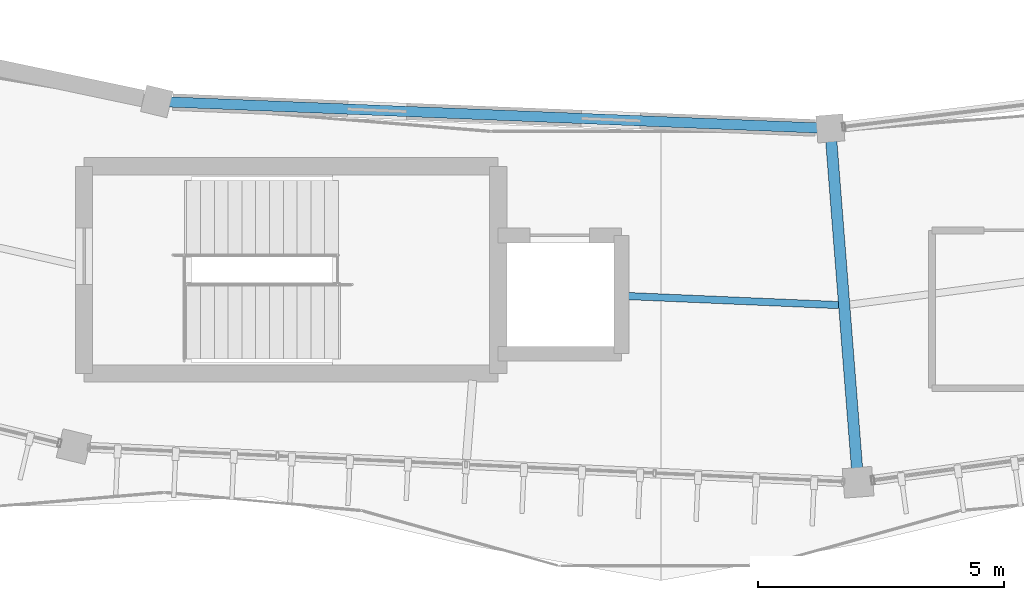
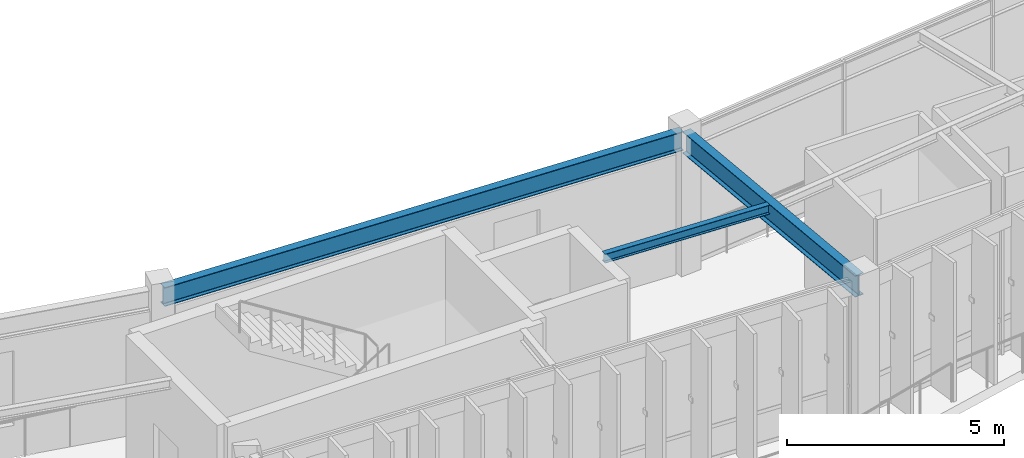
# One storey, part 28 of 83: 3 beams.
"""IFC4 building model written with IfcOpenShell, lengths in metres."""

from ifc_helpers import new_model, si_unit, direction, frame, origin, origin_2d, place, context, subcontext, project, spatial, i_section, extrude, material, material_profile, profile_set, type_object, element, save


model = new_model("IFC4")

# Units and contexts
model_context = context("Model", 3, precision=1e-05, world=origin(), true_north=direction((0.0, 1.0)))
body_context = subcontext(model_context, "Body", "Model", "MODEL_VIEW")
ifc_project = project(units=[si_unit("LENGTHUNIT", "METRE"), si_unit("AREAUNIT", "SQUARE_METRE"), si_unit("VOLUMEUNIT", "CUBIC_METRE"), si_unit("PLANEANGLEUNIT", "RADIAN"), si_unit("MASSUNIT", "GRAM", prefix="KILO"), si_unit("THERMODYNAMICTEMPERATUREUNIT", "KELVIN"), si_unit("POWERUNIT", "WATT")], contexts=[model_context])

# Site, building, storey
site_placement = place(None, origin())
site = spatial("IfcSite", under=ifc_project, at=site_placement, CompositionType="ELEMENT")
building_placement = place(site_placement, origin())
building = spatial("IfcBuilding", under=site, at=building_placement, Name="Darbajah Civic Hall", CompositionType="ELEMENT")
storey_placement = place(building_placement, frame((0.0, 0.0, 18.0)))
storey = spatial("IfcBuildingStorey", under=building, at=storey_placement, Name="L04", CompositionType="ELEMENT", Elevation=18.0)

# Beams
ifc_material = material(Name="Steel S355JR", Category="steel")
ifc_material_profile_1 = material_profile(ifc_material, i_section(OverallWidth=0.146484375, OverallDepth=0.256103515625, WebThickness=0.00634765625, FlangeThickness=0.010986328125, FilletRadius=0.007568359375, at=origin_2d()), Name="UB 254x146x37")
ifc_profile_set_1 = profile_set([ifc_material_profile_1], Name="Steel S355JR")
beam_type_1 = type_object("IfcBeamType", Name="UB 254x146x37", PredefinedType="JOIST", material=ifc_profile_set_1)
beam_1_placement = place(storey_placement, frame((88.419921875, 64.1689453125, 3.7919921875), z_axis=(0.999077737956, -0.042938019518, 0.0), x_axis=(0.042938019518, 0.999077737956, 0.0)))
element("IfcBeam", 1, at=beam_1_placement, inside=storey, type_object=beam_type_1, Name="L04 beam SJ-254", PredefinedType="JOIST", context=body_context, shape_type="SweptSolid", body=[
    extrude(i_section(OverallWidth=0.146484375, OverallDepth=0.256103515625, WebThickness=0.00634765625, FlangeThickness=0.010986328125, FilletRadius=0.007568359375, at=origin_2d()), origin(), (0.0, 0.0, 1.0), 4.287109375),
])
ifc_material_profile_2 = material_profile(ifc_material, i_section(OverallWidth=0.209228515625, OverallDepth=0.533203125, WebThickness=0.010009765625, FlangeThickness=0.015625, FilletRadius=0.0126953125, at=origin_2d()), Name="UB 533x210x92")
ifc_profile_set_2 = profile_set([ifc_material_profile_2], Name="Steel S355JR")
beam_type_2 = type_object("IfcBeamType", Name="UB 533x210x92", PredefinedType="BEAM", material=ifc_profile_set_2)
beam_2_placement = place(storey_placement, frame((78.955078125, 68.113037109375, 3.653564453125), z_axis=(0.999198127678, -0.04003875178, 0.0), x_axis=(0.04003875178, 0.999198127678, 0.0)))
element("IfcBeam", 2, at=beam_2_placement, inside=storey, type_object=beam_type_2, Name="L04 beam SB-533", PredefinedType="BEAM", context=body_context, shape_type="SweptSolid", body=[
    extrude(i_section(OverallWidth=0.209228515625, OverallDepth=0.533203125, WebThickness=0.010009765625, FlangeThickness=0.015625, FilletRadius=0.0126953125, at=origin_2d()), origin(), (0.0, 0.0, 1.0), 13.51220703125),
])
ifc_material_profile_3 = material_profile(ifc_material, i_section(OverallWidth=0.228271484375, OverallDepth=0.607666015625, WebThickness=0.010986328125, FlangeThickness=0.017333984375, FilletRadius=0.0126953125, at=origin_2d()), Name="UB 610x229x113")
ifc_profile_set_3 = profile_set([ifc_material_profile_3], Name="Steel S355JR")
beam_type_3 = type_object("IfcBeamType", Name="UB 610x229x113", PredefinedType="BEAM", material=ifc_profile_set_3)
beam_3_placement = place(storey_placement, frame((92.542724609375, 67.489013671875, 3.6162109375), z_axis=(0.078478466478, -0.996915809033, 0.0), x_axis=(0.996915809033, 0.078478466478, 0.0)))
element("IfcBeam", 3, at=beam_3_placement, inside=storey, type_object=beam_type_3, Name="L04 beam SB-610", PredefinedType="BEAM", context=body_context, shape_type="SweptSolid", body=[
    extrude(i_section(OverallWidth=0.228271484375, OverallDepth=0.607666015625, WebThickness=0.010986328125, FlangeThickness=0.017333984375, FilletRadius=0.0126953125, at=origin_2d()), origin(), (0.0, 0.0, 1.0), 7.0400390625),
])

save(model, "model.ifc")
